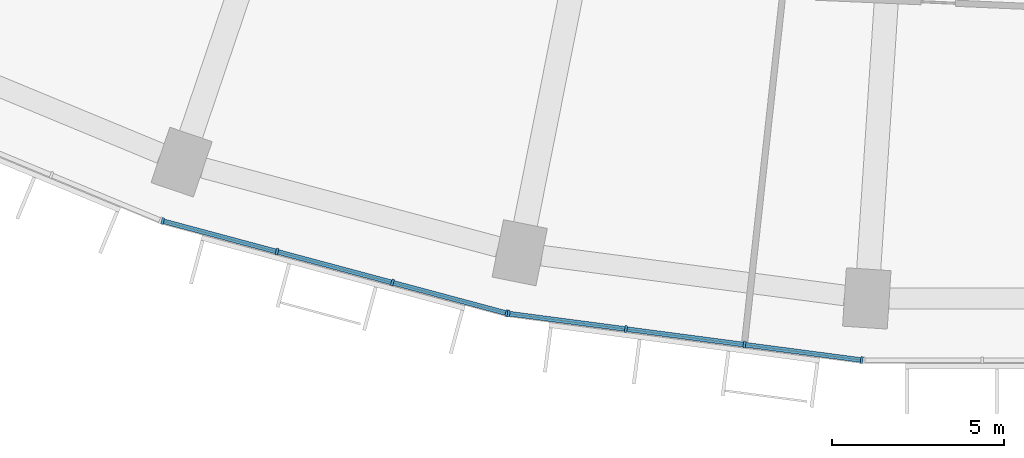
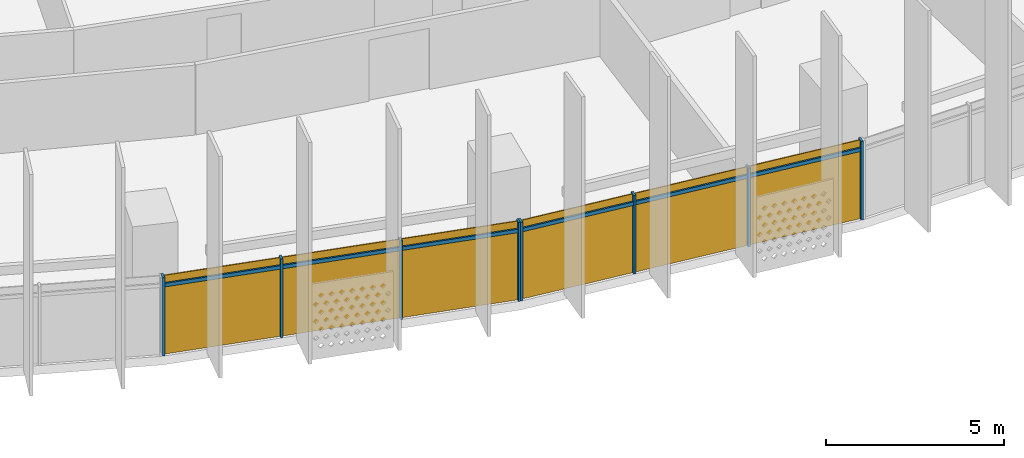
# One storey, part 19 of 31: 14 members, 2 curtain walls.
"""IFC4 building model written with IfcOpenShell, lengths in metres."""

import ifcopenshell
import ifcopenshell.guid

model = None  # the IFC model being written
_history = None  # IfcOwnerHistory: only IFC2X3 demands one
_inside = {}  # id of a spatial element -> (the spatial element, [elements in it])
_under = {}  # id of a project, library or spatial element -> (it, [spatial elements below it])
_declared = {}  # id of a project -> (the project, [libraries it declares])
_typed = {}  # id of a type object -> (the type object, [elements of that type])
_made_of = {}  # id of a material, layer set ... -> (it, [elements and type objects made of it])


def new_model(schema):
    """Start an empty IFC model of exactly this schema.

    Asked for "IFC4X3", IfcOpenShell would pick the latest addendum, in which some entities
    have other attributes; the version numbers below select the first issue.
    IFC2X3 requires an IfcOwnerHistory on every rooted entity: one is made here for all.
    """
    global model, _history
    if schema == "IFC4X3":
        model = ifcopenshell.file(schema_version=(4, 3, 0, 0))
    else:
        model = ifcopenshell.file(schema=schema)
    _inside.clear()
    _under.clear()
    _declared.clear()
    _typed.clear()
    _made_of.clear()
    _history = None
    if model.schema == "IFC2X3":
        org = make("IfcOrganization", Name="unknown")
        user = make(
            "IfcPersonAndOrganization",
            ThePerson=make("IfcPerson", FamilyName="unknown"),
            TheOrganization=org,
        )
        app = make(
            "IfcApplication",
            ApplicationDeveloper=org,
            Version="unknown",
            ApplicationFullName="unknown",
            ApplicationIdentifier="unknown",
        )
        _history = make(
            "IfcOwnerHistory",
            OwningUser=user,
            OwningApplication=app,
            ChangeAction="ADDED",
            CreationDate=0,
        )
    return model


def make(cls, **values):
    """One entity of the class cls with the attributes given. An attribute that is None is left unset."""
    return model.create_entity(
        cls, **{name: value for name, value in values.items() if value is not None}
    )


def rooted(cls, **values):
    """An entity with a GlobalId (a new one), such as an element, a storey or a relation."""
    return make(cls, GlobalId=ifcopenshell.guid.new(), OwnerHistory=_history, **values)


def si_unit(unit_type, name, prefix=None):
    """IfcSIUnit, for example si_unit("LENGTHUNIT", "METRE", prefix="MILLI")."""
    return make("IfcSIUnit", UnitType=unit_type, Prefix=prefix, Name=name)


def assignment(units):
    """IfcUnitAssignment: the units of a project."""
    return None if units is None else make("IfcUnitAssignment", Units=units)


def point(xyz):
    """IfcCartesianPoint."""
    return None if xyz is None else make("IfcCartesianPoint", Coordinates=xyz)


def direction(xyz):
    """IfcDirection."""
    return None if xyz is None else make("IfcDirection", DirectionRatios=xyz)


def frame(location, z_axis=None, x_axis=None):
    """IfcAxis2Placement3D, a coordinate frame: its origin and axes. An axis left out is left unset."""
    return make(
        "IfcAxis2Placement3D",
        Location=point(location),
        Axis=direction(z_axis),
        RefDirection=direction(x_axis),
    )


def frame_2d(location, x_axis=None):
    """IfcAxis2Placement2D, a coordinate frame in the plane: its origin and x axis."""
    return make(
        "IfcAxis2Placement2D", Location=point(location), RefDirection=direction(x_axis)
    )


def origin():
    """The frame at (0, 0, 0) with its axes left unset."""
    return frame((0.0, 0.0, 0.0))


def origin_2d():
    """The frame at (0, 0) in the plane with its x axis left unset."""
    return frame_2d((0.0, 0.0))


def place(relative_to, where):
    """IfcLocalPlacement: puts the frame where relative to a parent placement (None: the world)."""
    return make(
        "IfcLocalPlacement", PlacementRelTo=relative_to, RelativePlacement=where
    )


def context(
    kind, dimensions, precision=None, world=None, true_north=None, identifier=None
):
    """IfcGeometricRepresentationContext, for example the 3D "Model" context."""
    return make(
        "IfcGeometricRepresentationContext",
        ContextIdentifier=identifier,
        ContextType=kind,
        CoordinateSpaceDimension=dimensions,
        Precision=precision,
        WorldCoordinateSystem=world,
        TrueNorth=true_north,
    )


def subcontext(parent, identifier, kind, view, scale=None):
    """IfcGeometricRepresentationSubContext, for example "Body" below "Model"."""
    return make(
        "IfcGeometricRepresentationSubContext",
        ContextIdentifier=identifier,
        ContextType=kind,
        ParentContext=parent,
        TargetScale=scale,
        TargetView=view,
    )


def project(units=None, contexts=None):
    """IfcProject with its units and contexts."""
    return rooted(
        "IfcProject",
        Name="project",
        RepresentationContexts=contexts,
        UnitsInContext=assignment(units),
    )


def spatial(cls, under=None, at=None, **own):
    """A site, building, storey or space (cls), placed at a placement, below another one or the project."""
    s = rooted(cls, ObjectPlacement=at, **own)
    if under is not None:
        _under.setdefault(under.id(), (under, []))[1].append(s)
    return s


def profile(cls, at=None, kind="AREA", **sizes):
    """A parametric profile (cls). Its sizes go by their IFC names, for example OverallWidth=200.0."""
    return make(cls, ProfileType=kind, Position=at, **sizes)


def rectangle(**sizes):
    """IfcRectangleProfileDef."""
    return profile("IfcRectangleProfileDef", **sizes)


def extrude(swept, where, along, depth):
    """IfcExtrudedAreaSolid: the profile swept, set in the frame where, extruded along a direction by depth."""
    return make(
        "IfcExtrudedAreaSolid",
        SweptArea=swept,
        Position=where,
        ExtrudedDirection=direction(along),
        Depth=depth,
    )


def shape(context_of_items, identifier, shape_type, items):
    """IfcShapeRepresentation: the items that make up one representation, for example the "Body"."""
    return make(
        "IfcShapeRepresentation",
        ContextOfItems=context_of_items,
        RepresentationIdentifier=identifier,
        RepresentationType=shape_type,
        Items=items,
    )


def material(Name=None, Category=None):
    """IfcMaterial."""
    return make("IfcMaterial", Name=Name, Category=Category)


def material_profile(
    of_material, cross_section, Name=None, Category=None, Priority=None
):
    """IfcMaterialProfile: a cross section and its material."""
    return make(
        "IfcMaterialProfile",
        Name=Name,
        Material=of_material,
        Profile=cross_section,
        Priority=Priority,
        Category=Category,
    )


def profile_set(profiles, Name=None, composite=None):
    """IfcMaterialProfileSet."""
    return make(
        "IfcMaterialProfileSet",
        Name=Name,
        MaterialProfiles=profiles,
        CompositeProfile=composite,
    )


def made_of(thing, what):
    """Note that an element or type object is made of a material, layer set ...; save() writes the relation."""
    if what is not None:
        _made_of.setdefault(what.id(), (what, []))[1].append(thing)
    return thing


def type_object(cls, material=None, **own):
    """A type object (cls), such as IfcWallType, which elements share."""
    return made_of(rooted(cls, **own), material)


def element(
    cls,
    number,
    at=None,
    inside=None,
    cuts=None,
    type_object=None,
    material=None,
    context=None,
    identifier="Body",
    shape_type=None,
    held_by="IfcProductDefinitionShape",
    body=None,
    shapes=None,
    **own,
):
    """One element of the class cls, such as IfcWall. Its Tag is "e" and its number.

    at: its placement. inside: the storey or other place that contains it. cuts: it is an
    opening in that element (IfcRelVoidsElement). A single representation is given by context,
    identifier, shape_type and body (its items); several are given by shapes. held_by: the class
    of the entity that holds the representations. save() writes the other relations.
    """
    e = rooted(cls, Tag="e%d" % number, ObjectPlacement=at, **own)
    if body is not None:
        shapes = [shape(context, identifier, shape_type, body)]
    if shapes is not None:
        e.Representation = make(held_by, Representations=shapes)
    if inside is not None:
        _inside.setdefault(inside.id(), (inside, []))[1].append(e)
    if cuts is not None:
        rooted(
            "IfcRelVoidsElement", RelatingBuildingElement=cuts, RelatedOpeningElement=e
        )
    if type_object is not None:
        _typed.setdefault(type_object.id(), (type_object, []))[1].append(e)
    return made_of(e, material)


def aggregate(whole, parts):
    """IfcRelAggregates: a whole, such as a stair, and the parts it consists of."""
    return rooted("IfcRelAggregates", RelatingObject=whole, RelatedObjects=parts)


def save(model, path):
    """Write the relations noted so far, then the file.

    IfcRelAggregates (storeys below a building ...), IfcRelContainedInSpatialStructure (elements
    in a storey), IfcRelDefinesByType, IfcRelAssociatesMaterial and IfcRelDeclares: one each for
    every whole, place, type object, material and project.
    """
    for whole, parts in _under.values():
        aggregate(whole, parts)
    for where, things in _inside.values():
        rooted(
            "IfcRelContainedInSpatialStructure",
            RelatedElements=things,
            RelatingStructure=where,
        )
    for kind, things in _typed.values():
        rooted("IfcRelDefinesByType", RelatedObjects=things, RelatingType=kind)
    for what, things in _made_of.values():
        rooted("IfcRelAssociatesMaterial", RelatedObjects=things, RelatingMaterial=what)
    for by, libraries in _declared.values():
        rooted("IfcRelDeclares", RelatingContext=by, RelatedDefinitions=libraries)
    model.write(path)


model = new_model("IFC4")

# Units and contexts
model_context = context("Model", 3, precision=1e-05, world=origin(), true_north=direction((0.0, 1.0)))
body_context = subcontext(model_context, "Body", "Model", "MODEL_VIEW")
ifc_project = project(units=[si_unit("LENGTHUNIT", "METRE"), si_unit("AREAUNIT", "SQUARE_METRE"), si_unit("VOLUMEUNIT", "CUBIC_METRE"), si_unit("PLANEANGLEUNIT", "RADIAN"), si_unit("MASSUNIT", "GRAM", prefix="KILO")], contexts=[model_context])

# Member
ifc_material = material(Name="Aluminium 6063-T6 anodised", Category="aluminium")
ifc_material_profile_1 = material_profile(ifc_material, rectangle(XDim=0.199951171875, YDim=0.070068359375, at=origin_2d()))
ifc_profile_set_1 = profile_set([ifc_material_profile_1], Name="Aluminium 6063-T6 anodised")
member_type_1 = type_object("IfcMemberType", Name="Mullion 70 x 200 aluminium", PredefinedType="MULLION", material=ifc_profile_set_1)
site_placement = place(None, origin())
building_placement = place(site_placement, origin())
storey_placement = place(building_placement, frame((0.0, 0.0, 55.699951171875)))
member_1_placement = place(storey_placement, frame((-25.54296875, -75.33544921875, 0.0), z_axis=(0.0, 0.0, 1.0), x_axis=(0.258819045103, 0.965925826289, 0.0)))
member_1 = element("IfcMember", 1, at=member_1_placement, type_object=member_type_1, Name="e-cw1-L10-out06/M00", PredefinedType="MULLION", context=body_context, shape_type="SweptSolid", body=[
    extrude(rectangle(XDim=0.199951171875, YDim=0.070068359375, at=origin_2d()), origin(), (0.0, 0.0, 1.0), 2.699951171875),
])

member_2_placement = place(storey_placement, frame((-22.22216796875, -76.225341796875, 0.0), z_axis=(0.0, 0.0, 1.0), x_axis=(0.258819045103, 0.965925826289, 0.0)))
member_2 = element("IfcMember", 2, at=member_2_placement, type_object=member_type_1, Name="e-cw1-L10-out06/M01", PredefinedType="MULLION", context=body_context, shape_type="SweptSolid", body=[
    extrude(rectangle(XDim=0.199951171875, YDim=0.070068359375, at=origin_2d()), origin(), (0.0, 0.0, 1.0), 2.699951171875),
])

member_3_placement = place(storey_placement, frame((-18.86767578125, -77.1240234375, 0.0), z_axis=(0.0, 0.0, 1.0), x_axis=(0.258819045103, 0.965925826289, 0.0)))
member_3 = element("IfcMember", 3, at=member_3_placement, type_object=member_type_1, Name="e-cw1-L10-out06/M02", PredefinedType="MULLION", context=body_context, shape_type="SweptSolid", body=[
    extrude(rectangle(XDim=0.199951171875, YDim=0.070068359375, at=origin_2d()), origin(), (0.0, 0.0, 1.0), 2.699951171875),
])

member_4_placement = place(storey_placement, frame((-15.546875, -78.013916015625, 0.0), z_axis=(0.0, 0.0, 1.0), x_axis=(0.258819045103, 0.965925826289, 0.0)))
member_4 = element("IfcMember", 4, at=member_4_placement, type_object=member_type_1, Name="e-cw1-L10-out06/M03", PredefinedType="MULLION", context=body_context, shape_type="SweptSolid", body=[
    extrude(rectangle(XDim=0.199951171875, YDim=0.070068359375, at=origin_2d()), origin(), (0.0, 0.0, 1.0), 2.699951171875),
])

member_5_placement = place(storey_placement, frame((-15.4912109375, -78.02490234375, 0.0), z_axis=(0.0, 0.0, 1.0), x_axis=(0.13052619222, 0.991444861374, 0.0)))
member_5 = element("IfcMember", 5, at=member_5_placement, type_object=member_type_1, Name="e-cw1-L10-out07/M00", PredefinedType="MULLION", context=body_context, shape_type="SweptSolid", body=[
    extrude(rectangle(XDim=0.199951171875, YDim=0.070068359375, at=origin_2d()), origin(), (0.0, 0.0, 1.0), 2.699951171875),
])

member_6_placement = place(storey_placement, frame((-12.082763671875, -78.4736328125, 0.0), z_axis=(0.0, 0.0, 1.0), x_axis=(0.13052619222, 0.991444861374, 0.0)))
member_6 = element("IfcMember", 6, at=member_6_placement, type_object=member_type_1, Name="e-cw1-L10-out07/M01", PredefinedType="MULLION", context=body_context, shape_type="SweptSolid", body=[
    extrude(rectangle(XDim=0.199951171875, YDim=0.070068359375, at=origin_2d()), origin(), (0.0, 0.0, 1.0), 2.699951171875),
])

member_7_placement = place(storey_placement, frame((-8.639404296875, -78.927001953125, 0.0), z_axis=(0.0, 0.0, 1.0), x_axis=(0.13052619222, 0.991444861374, 0.0)))
member_7 = element("IfcMember", 7, at=member_7_placement, type_object=member_type_1, Name="e-cw1-L10-out07/M02", PredefinedType="MULLION", context=body_context, shape_type="SweptSolid", body=[
    extrude(rectangle(XDim=0.199951171875, YDim=0.070068359375, at=origin_2d()), origin(), (0.0, 0.0, 1.0), 2.699951171875),
])

member_8_placement = place(storey_placement, frame((-5.23095703125, -79.375732421875, 0.0), z_axis=(0.0, 0.0, 1.0), x_axis=(0.13052619222, 0.991444861374, 0.0)))
member_8 = element("IfcMember", 8, at=member_8_placement, type_object=member_type_1, Name="e-cw1-L10-out07/M03", PredefinedType="MULLION", context=body_context, shape_type="SweptSolid", body=[
    extrude(rectangle(XDim=0.199951171875, YDim=0.070068359375, at=origin_2d()), origin(), (0.0, 0.0, 1.0), 2.699951171875),
])

ifc_material_profile_2 = material_profile(ifc_material, rectangle(XDim=0.139892578125, YDim=0.1201171875, at=origin_2d()))
ifc_profile_set_2 = profile_set([ifc_material_profile_2], Name="Aluminium 6063-T6 anodised")
member_type_2 = type_object("IfcMemberType", Name="Transom 120 x 140 aluminium", PredefinedType="USERDEFINED", material=ifc_profile_set_2)
member_9_placement = place(storey_placement, frame((-25.50927734375, -75.344482421875, 2.400146484375), z_axis=(0.965915368772, -0.258858069935, 0.0), x_axis=(0.258858069935, 0.965915368772, 0.0)))
member_9 = element("IfcMember", 9, at=member_9_placement, type_object=member_type_2, Name="e-cw1-L10-out06/T00", ObjectType="TRANSOM", PredefinedType="USERDEFINED", context=body_context, shape_type="SweptSolid", body=[
    extrude(rectangle(XDim=0.139892578125, YDim=0.1201171875, at=origin_2d()), origin(), (0.0, 0.0, 1.0), 3.367919921875),
])

member_10_placement = place(storey_placement, frame((-22.1884765625, -76.234375, 2.400146484375), z_axis=(0.965937804901, -0.258774336176, 0.0), x_axis=(0.258774336176, 0.965937804901, 0.0)))
member_10 = element("IfcMember", 10, at=member_10_placement, type_object=member_type_2, Name="e-cw1-L10-out06/T01", ObjectType="TRANSOM", PredefinedType="USERDEFINED", context=body_context, shape_type="SweptSolid", body=[
    extrude(rectangle(XDim=0.139892578125, YDim=0.1201171875, at=origin_2d()), origin(), (0.0, 0.0, 1.0), 3.403076171875),
])

member_11_placement = place(storey_placement, frame((-18.833740234375, -77.133056640625, 2.400146484375), z_axis=(0.965915368772, -0.258858069935, 0.0), x_axis=(0.258858069935, 0.965915368772, 0.0)))
member_11 = element("IfcMember", 11, at=member_11_placement, type_object=member_type_2, Name="e-cw1-L10-out06/T02", ObjectType="TRANSOM", PredefinedType="USERDEFINED", context=body_context, shape_type="SweptSolid", body=[
    extrude(rectangle(XDim=0.139892578125, YDim=0.1201171875, at=origin_2d()), origin(), (0.0, 0.0, 1.0), 3.367919921875),
])

member_12_placement = place(storey_placement, frame((-15.45654296875, -78.029541015625, 2.400146484375), z_axis=(0.9914412138, -0.130553895303, 0.0), x_axis=(0.130553895303, 0.9914412138, 0.0)))
member_12 = element("IfcMember", 12, at=member_12_placement, type_object=member_type_2, Name="e-cw1-L10-out07/T00", ObjectType="TRANSOM", PredefinedType="USERDEFINED", context=body_context, shape_type="SweptSolid", body=[
    extrude(rectangle(XDim=0.139892578125, YDim=0.1201171875, at=origin_2d()), origin(), (0.0, 0.0, 1.0), 3.367919921875),
])

member_13_placement = place(storey_placement, frame((-12.048095703125, -78.478271484375, 2.400146484375), z_axis=(0.991447700941, -0.130504621753, 0.0), x_axis=(0.130504621753, 0.991447700941, 0.0)))
member_13 = element("IfcMember", 13, at=member_13_placement, type_object=member_type_2, Name="e-cw1-L10-out07/T01", ObjectType="TRANSOM", PredefinedType="USERDEFINED", context=body_context, shape_type="SweptSolid", body=[
    extrude(rectangle(XDim=0.139892578125, YDim=0.1201171875, at=origin_2d()), origin(), (0.0, 0.0, 1.0), 3.40283203125),
])

member_14_placement = place(storey_placement, frame((-8.604736328125, -78.931640625, 2.400146484375), z_axis=(0.991450594138, -0.130482640159, 0.0), x_axis=(0.130482640159, 0.991450594138, 0.0)))
member_14 = element("IfcMember", 14, at=member_14_placement, type_object=member_type_2, Name="e-cw1-L10-out07/T02", ObjectType="TRANSOM", PredefinedType="USERDEFINED", context=body_context, shape_type="SweptSolid", body=[
    extrude(rectangle(XDim=0.139892578125, YDim=0.1201171875, at=origin_2d()), origin(), (0.0, 0.0, 1.0), 3.367919921875),
])

# Site, building, storey
site = spatial("IfcSite", under=ifc_project, at=site_placement, CompositionType="ELEMENT")
building = spatial("IfcBuilding", under=site, at=building_placement, Name="Qamariyya Broadcast Tower", CompositionType="ELEMENT")
storey = spatial("IfcBuildingStorey", under=building, at=storey_placement, Name="L10", CompositionType="ELEMENT", Elevation=55.699951171875)

# Curtain wall
curtain_wall_type = type_object("IfcCurtainWallType", Name="Unitised curtain wall, anodised aluminium", PredefinedType="NOTDEFINED", material=ifc_material)
curtain_wall_1_placement = place(storey_placement, origin())
curtain_wall_1 = element("IfcCurtainWall", 15, at=curtain_wall_1_placement, inside=storey, type_object=curtain_wall_type, Name="e-cw1-L10-out06", PredefinedType="NOTDEFINED", context=body_context, shape_type="SweptSolid", body=[
    extrude(rectangle(XDim=3.367919921875, YDim=0.031982421875, at=origin_2d()), frame((-23.882568359375, -75.7802734375, 0.0), x_axis=(0.965925039578, -0.258821981129, 0.0)), (0.0, 0.0, 1.0), 2.340087890625),
    extrude(rectangle(XDim=3.367919921875, YDim=0.031982421875, at=origin_2d()), frame((-23.882568359375, -75.7802734375, 2.4599609375), x_axis=(0.965925039578, -0.258821981129, 0.0)), (0.0, 0.0, 1.0), 0.239990234375),
    extrude(rectangle(XDim=3.40283203125, YDim=0.031982421875, at=origin_2d()), frame((-20.544921875, -76.6748046875, 0.0), x_axis=(0.965925039578, -0.258821981129, 0.0)), (0.0, 0.0, 1.0), 2.340087890625),
    extrude(rectangle(XDim=3.40283203125, YDim=0.031982421875, at=origin_2d()), frame((-20.544921875, -76.6748046875, 2.4599609375), x_axis=(0.965925039578, -0.258821981129, 0.0)), (0.0, 0.0, 1.0), 0.239990234375),
    extrude(rectangle(XDim=3.367919921875, YDim=0.031982421875, at=origin_2d()), frame((-17.207275390625, -77.569091796875, 0.0), x_axis=(0.965925039578, -0.258821981129, 0.0)), (0.0, 0.0, 1.0), 2.340087890625),
    extrude(rectangle(XDim=3.367919921875, YDim=0.031982421875, at=origin_2d()), frame((-17.207275390625, -77.569091796875, 2.4599609375), x_axis=(0.965925039578, -0.258821981129, 0.0)), (0.0, 0.0, 1.0), 0.239990234375),
])

aggregate(curtain_wall_1, [member_1, member_2, member_3, member_4, member_9, member_10, member_11])

curtain_wall_2_placement = place(storey_placement, origin())
curtain_wall_2 = element("IfcCurtainWall", 16, at=curtain_wall_2_placement, inside=storey, type_object=curtain_wall_type, Name="e-cw1-L10-out07", PredefinedType="NOTDEFINED", context=body_context, shape_type="SweptSolid", body=[
    extrude(rectangle(XDim=3.367919921875, YDim=0.031982421875, at=origin_2d()), frame((-13.786865234375, -78.24951171875, 0.0), x_axis=(0.991445519925, -0.130521189931, 0.0)), (0.0, 0.0, 1.0), 2.340087890625),
    extrude(rectangle(XDim=3.367919921875, YDim=0.031982421875, at=origin_2d()), frame((-13.786865234375, -78.24951171875, 2.4599609375), x_axis=(0.991445519925, -0.130521189931, 0.0)), (0.0, 0.0, 1.0), 0.239990234375),
    extrude(rectangle(XDim=3.40283203125, YDim=0.031982421875, at=origin_2d()), frame((-10.361083984375, -78.700439453125, 0.0), x_axis=(0.991445519925, -0.130521189931, 0.0)), (0.0, 0.0, 1.0), 2.340087890625),
    extrude(rectangle(XDim=3.40283203125, YDim=0.031982421875, at=origin_2d()), frame((-10.361083984375, -78.700439453125, 2.4599609375), x_axis=(0.991445519925, -0.130521189931, 0.0)), (0.0, 0.0, 1.0), 0.239990234375),
    extrude(rectangle(XDim=3.367919921875, YDim=0.031982421875, at=origin_2d()), frame((-6.935302734375, -79.1513671875, 0.0), x_axis=(0.991445519925, -0.130521189931, 0.0)), (0.0, 0.0, 1.0), 2.340087890625),
    extrude(rectangle(XDim=3.367919921875, YDim=0.031982421875, at=origin_2d()), frame((-6.935302734375, -79.1513671875, 2.4599609375), x_axis=(0.991445519925, -0.130521189931, 0.0)), (0.0, 0.0, 1.0), 0.239990234375),
])

aggregate(curtain_wall_2, [member_5, member_6, member_7, member_8, member_12, member_13, member_14])

save(model, "model.ifc")
